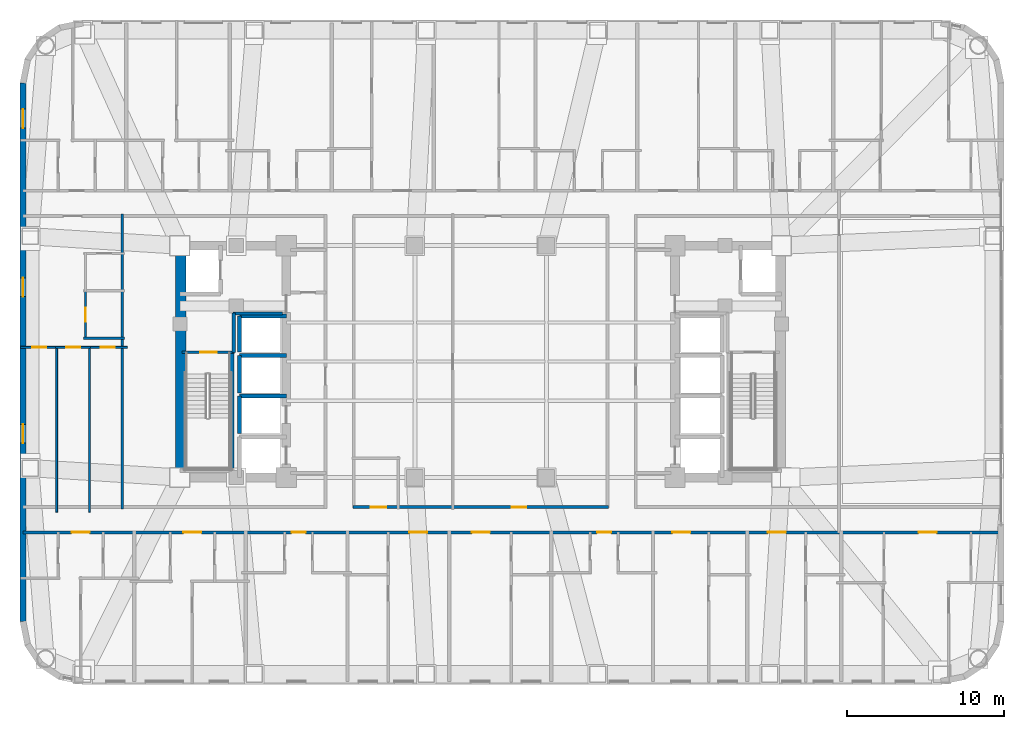
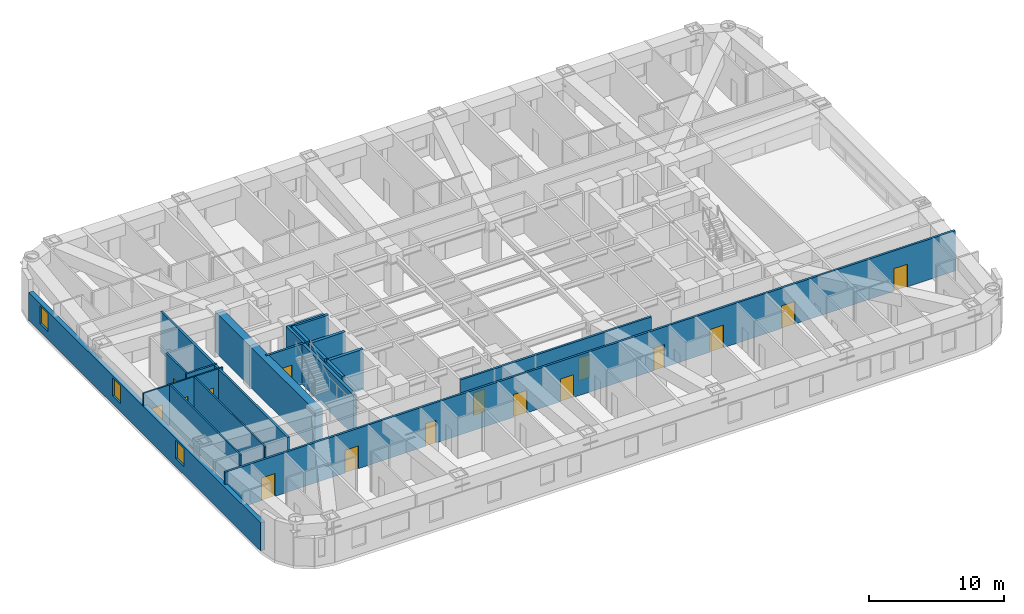
# One storey, part 9 of 16: 22 walls, 16 doors, 3 windows, 19 openings.
"""IFC4 building model written with IfcOpenShell, lengths in metres."""

from ifc_helpers import new_model, si_unit, direction, frame, frame_2d, origin, place, context, subcontext, project, spatial, rectangle, extrude, material, layer, layer_set, type_object, element, fill, save


model = new_model("IFC4")

# Units and contexts
model_context = context("Model", 3, precision=1e-05, world=origin(), true_north=direction((0.0, 1.0)))
body_context = subcontext(model_context, "Body", "Model", "MODEL_VIEW")
ifc_project = project(units=[si_unit("LENGTHUNIT", "METRE"), si_unit("AREAUNIT", "SQUARE_METRE"), si_unit("VOLUMEUNIT", "CUBIC_METRE"), si_unit("PLANEANGLEUNIT", "RADIAN"), si_unit("MASSUNIT", "GRAM", prefix="KILO")], contexts=[model_context])

# Site, building, storey
site_placement = place(None, origin())
site = spatial("IfcSite", under=ifc_project, at=site_placement, CompositionType="ELEMENT")
building_placement = place(site_placement, origin())
building = spatial("IfcBuilding", under=site, at=building_placement, Name="Voryun Gate Residences", CompositionType="ELEMENT")
storey_placement = place(building_placement, frame((0.0, 0.0, 89.699951171875)))
storey = spatial("IfcBuildingStorey", under=building, at=storey_placement, Name="L21", CompositionType="ELEMENT", Elevation=89.699951171875)

# Wall
ifc_material_1 = material(Name="Concrete C60/75", Category="concrete")
ifc_layer_1 = layer(ifc_material_1, 0.64990234375, Name="CW_CORE_650")
ifc_layer_set_1 = layer_set([ifc_layer_1], Name="Concrete C60/75")
wall_type_1 = type_object("IfcWallType", Name="CW_CORE_650", PredefinedType="SHEAR", material=ifc_layer_set_1)
wall_1_placement = place(storey_placement, frame((-19.14501953125, -7.39990234375, 0.0), z_axis=(0.0, 0.0, 1.0), x_axis=(0.0, 1.0, 0.0)))
element("IfcWall", 1, at=wall_1_placement, inside=storey, type_object=wall_type_1, Name="L21 Core shear wall CW-L21-WW", PredefinedType="SHEAR", context=body_context, shape_type="SweptSolid", body=[
    extrude(rectangle(XDim=14.7998046875, YDim=0.64990234375, at=frame_2d((7.39990234375, 0.0))), origin(), (0.0, 0.0, 1.0), 3.650146484375),
])

# Wall, opening, door
ifc_material_2 = material(Name="Gypsum acoustic fireboard")
ifc_layer_2 = layer(ifc_material_2, 0.179931640625, Name="W_CORR_RATED_180")
ifc_layer_set_2 = layer_set([ifc_layer_2], Name="Gypsum acoustic fireboard")
wall_type_2 = type_object("IfcWallType", Name="W_CORR_RATED_180", PredefinedType="PARTITIONING", material=ifc_layer_set_2)
wall_2_placement = place(storey_placement, frame((-19.06005859375, 0.60009765625, 0.0), z_axis=(0.0, 0.0, 1.0), x_axis=(1.0, 0.0, 0.0)))
wall_2 = element("IfcWall", 2, at=wall_2_placement, inside=storey, type_object=wall_type_2, Name="Partition wall WP-L21-STV-W", PredefinedType="PARTITIONING", context=body_context, shape_type="SweptSolid", body=[
    extrude(rectangle(XDim=3.360107421875, YDim=0.179931640625, at=frame_2d((1.68017578125, 0.0))), origin(), (0.0, 0.0, 1.0), 3.650146484375),
])
opening_1_placement = place(wall_2_placement, frame((1.155029296875, 0.0, 0.0)))
opening_1 = element("IfcOpeningElement", 3, at=opening_1_placement, cuts=wall_2, Name="Opening D-FD60-1", PredefinedType="OPENING", context=body_context, shape_type="SweptSolid", body=[
    extrude(rectangle(XDim=1.050048828125, YDim=2.050048828125, at=frame_2d((0.52490234375, 1.02490234375))), frame((0.0, 0.099853515625, 0.0), z_axis=(0.0, -1.0, 0.0), x_axis=(1.0, 0.0, 0.0)), (0.0, 0.0, 1.0), 0.199951171875),
])
ifc_material_3 = material(Name="Painted steel fire door", Category="steel")
door_type_1 = type_object("IfcDoorType", Name="DR_FD60_STAIR_1050", OperationType="NOTDEFINED", PredefinedType="DOOR", material=ifc_material_3)
door_1_placement = place(opening_1_placement, origin())
door_1 = element("IfcDoor", 4, at=door_1_placement, inside=storey, type_object=door_type_1, Name="Door DR-L21-ST-W", OperationType="SINGLE_SWING_LEFT", OverallHeight=2.050048828125, OverallWidth=1.050048828125, PredefinedType="DOOR", context=body_context, shape_type="SweptSolid", body=[
    extrude(rectangle(XDim=1.050048828125, YDim=2.050048828125, at=frame_2d((0.52490234375, 1.02490234375))), frame((0.0, 0.02490234375, 0.0), z_axis=(0.0, -1.0, 0.0), x_axis=(1.0, 0.0, 0.0)), (0.0, 0.0, 1.0), 0.050048828125),
])
fill(opening_1, door_1)

# Wall, openings, doors
wall_3_placement = place(storey_placement, frame((-8.14990234375, -9.2900390625, 0.0), z_axis=(0.0, 0.0, 1.0), x_axis=(1.0, 0.0, 0.0)))
wall_3 = element("IfcWall", 5, at=wall_3_placement, inside=storey, type_object=wall_type_2, Name="Partition wall WP-L21-Z1S", PredefinedType="PARTITIONING", context=body_context, shape_type="SweptSolid", body=[
    extrude(rectangle(XDim=16.2998046875, YDim=0.179931640625, at=frame_2d((8.14990234375, 0.0))), origin(), (0.0, 0.0, 1.0), 3.650146484375),
])
opening_2_placement = place(wall_3_placement, frame((1.1298828125, 0.0, 0.0)))
opening_2 = element("IfcOpeningElement", 6, at=opening_2_placement, cuts=wall_3, Name="Opening D-AWC-1", PredefinedType="OPENING", context=body_context, shape_type="SweptSolid", body=[
    extrude(rectangle(XDim=1.0, YDim=2.050048828125, at=frame_2d((0.5, 1.02490234375))), frame((0.0, 0.099853515625, 0.0), z_axis=(0.0, -1.0, 0.0), x_axis=(1.0, 0.0, 0.0)), (0.0, 0.0, 1.0), 0.199951171875),
])
opening_3_placement = place(wall_3_placement, frame((10.1201171875, 0.0, 0.0)))
opening_3 = element("IfcOpeningElement", 7, at=opening_3_placement, cuts=wall_3, Name="Opening D-INT-1", PredefinedType="OPENING", context=body_context, shape_type="SweptSolid", body=[
    extrude(rectangle(XDim=0.949951171875, YDim=2.050048828125, at=frame_2d((0.47509765625, 1.02490234375))), frame((0.0, 0.099853515625, 0.0), z_axis=(0.0, -1.0, 0.0), x_axis=(1.0, 0.0, 0.0)), (0.0, 0.0, 1.0), 0.199951171875),
])
ifc_material_4 = material(Name="Architectural oak veneer")
door_type_2 = type_object("IfcDoorType", Name="DR_ACC_WC_1000", OperationType="NOTDEFINED", PredefinedType="DOOR", material=ifc_material_4)
door_2_placement = place(opening_2_placement, origin())
door_2 = element("IfcDoor", 8, at=door_2_placement, inside=storey, type_object=door_type_2, Name="Door DR-L21-CMWC-D", OperationType="SINGLE_SWING_LEFT", OverallHeight=2.050048828125, OverallWidth=1.0, PredefinedType="DOOR", context=body_context, shape_type="SweptSolid", body=[
    extrude(rectangle(XDim=1.0, YDim=2.050048828125, at=frame_2d((0.5, 1.02490234375))), frame((0.0, 0.02490234375, 0.0), z_axis=(0.0, -1.0, 0.0), x_axis=(1.0, 0.0, 0.0)), (0.0, 0.0, 1.0), 0.050048828125),
])
fill(opening_2, door_2)
ifc_material_5 = material(Name="Architectural oak veneer")
door_type_3 = type_object("IfcDoorType", Name="DR_INT_ROOM_950", OperationType="NOTDEFINED", PredefinedType="DOOR", material=ifc_material_5)
door_3_placement = place(opening_3_placement, origin())
door_3 = element("IfcDoor", 9, at=door_3_placement, inside=storey, type_object=door_type_3, Name="Door DR-L21-CMIDZ1S", OperationType="SINGLE_SWING_RIGHT", OverallHeight=2.050048828125, OverallWidth=0.949951171875, PredefinedType="DOOR", context=body_context, shape_type="SweptSolid", body=[
    extrude(rectangle(XDim=0.949951171875, YDim=2.050048828125, at=frame_2d((0.47509765625, 1.02490234375))), frame((0.0, 0.02490234375, 0.0), z_axis=(0.0, -1.0, 0.0), x_axis=(1.0, 0.0, 0.0)), (0.0, 0.0, 1.0), 0.050048828125),
])
fill(opening_3, door_3)

wall_4_placement = place(storey_placement, frame((-29.2099609375, -10.89990234375, 0.0), z_axis=(0.0, 0.0, 1.0), x_axis=(1.0, 0.0, 0.0)))
wall_4 = element("IfcWall", 10, at=wall_4_placement, inside=storey, type_object=wall_type_2, Name="Partition wall WP-L21-SCORR", PredefinedType="PARTITIONING", context=body_context, shape_type="SweptSolid", body=[
    extrude(rectangle(XDim=62.419921875, YDim=0.179931640625, at=frame_2d((31.2099609375, 0.0))), origin(), (0.0, 0.0, 1.0), 3.650146484375),
])
opening_4_placement = place(wall_4_placement, frame((3.10791015625, 0.0, 0.0)))
opening_4 = element("IfcOpeningElement", 11, at=opening_4_placement, cuts=wall_4, Name="Opening D-UNIT-1", PredefinedType="OPENING", context=body_context, shape_type="SweptSolid", body=[
    extrude(rectangle(XDim=1.14990234375, YDim=2.050048828125, at=frame_2d((0.574951171875, 1.02490234375))), frame((0.0, 0.099853515625, 0.0), z_axis=(0.0, -1.0, 0.0), x_axis=(1.0, 0.0, 0.0)), (0.0, 0.0, 1.0), 0.199951171875),
])
opening_5_placement = place(wall_4_placement, frame((10.242431640625, 0.0, 0.0)))
opening_5 = element("IfcOpeningElement", 12, at=opening_5_placement, cuts=wall_4, Name="Opening D-UNIT-1", PredefinedType="OPENING", context=body_context, shape_type="SweptSolid", body=[
    extrude(rectangle(XDim=1.14990234375, YDim=2.050048828125, at=frame_2d((0.574951171875, 1.02490234375))), frame((0.0, 0.099853515625, 0.0), z_axis=(0.0, -1.0, 0.0), x_axis=(1.0, 0.0, 0.0)), (0.0, 0.0, 1.0), 0.199951171875),
])
opening_6_placement = place(wall_4_placement, frame((17.139892578125, 0.0, 0.0)))
opening_6 = element("IfcOpeningElement", 13, at=opening_6_placement, cuts=wall_4, Name="Opening D-INT-2", PredefinedType="OPENING", context=body_context, shape_type="SweptSolid", body=[
    extrude(rectangle(XDim=0.89990234375, YDim=2.050048828125, at=frame_2d((0.449951171875, 1.02490234375))), frame((0.0, 0.099853515625, 0.0), z_axis=(0.0, -1.0, 0.0), x_axis=(1.0, 0.0, 0.0)), (0.0, 0.0, 1.0), 0.199951171875),
])
opening_7_placement = place(wall_4_placement, frame((24.661376953125, 0.0, 0.0)))
opening_7 = element("IfcOpeningElement", 14, at=opening_7_placement, cuts=wall_4, Name="Opening D-UNIT-1", PredefinedType="OPENING", context=body_context, shape_type="SweptSolid", body=[
    extrude(rectangle(XDim=1.14990234375, YDim=2.050048828125, at=frame_2d((0.574951171875, 1.02490234375))), frame((0.0, 0.099853515625, 0.0), z_axis=(0.0, -1.0, 0.0), x_axis=(1.0, 0.0, 0.0)), (0.0, 0.0, 1.0), 0.199951171875),
])
opening_8_placement = place(wall_4_placement, frame((28.643798828125, 0.0, 0.0)))
opening_8 = element("IfcOpeningElement", 15, at=opening_8_placement, cuts=wall_4, Name="Opening D-UNIT-1", PredefinedType="OPENING", context=body_context, shape_type="SweptSolid", body=[
    extrude(rectangle(XDim=1.14990234375, YDim=2.050048828125, at=frame_2d((0.574951171875, 1.02490234375))), frame((0.0, 0.099853515625, 0.0), z_axis=(0.0, -1.0, 0.0), x_axis=(1.0, 0.0, 0.0)), (0.0, 0.0, 1.0), 0.199951171875),
])
opening_9_placement = place(wall_4_placement, frame((36.639892578125, 0.0, 0.0)))
opening_9 = element("IfcOpeningElement", 16, at=opening_9_placement, cuts=wall_4, Name="Opening D-INT-2", PredefinedType="OPENING", context=body_context, shape_type="SweptSolid", body=[
    extrude(rectangle(XDim=0.89990234375, YDim=2.050048828125, at=frame_2d((0.449951171875, 1.02490234375))), frame((0.0, 0.099853515625, 0.0), z_axis=(0.0, -1.0, 0.0), x_axis=(1.0, 0.0, 0.0)), (0.0, 0.0, 1.0), 0.199951171875),
])
opening_10_placement = place(wall_4_placement, frame((41.43994140625, 0.0, 0.0)))
opening_10 = element("IfcOpeningElement", 17, at=opening_10_placement, cuts=wall_4, Name="Opening D-UNIT-1", PredefinedType="OPENING", context=body_context, shape_type="SweptSolid", body=[
    extrude(rectangle(XDim=1.14990234375, YDim=2.050048828125, at=frame_2d((0.574951171875, 1.02490234375))), frame((0.0, 0.099853515625, 0.0), z_axis=(0.0, -1.0, 0.0), x_axis=(1.0, 0.0, 0.0)), (0.0, 0.0, 1.0), 0.199951171875),
])
opening_11_placement = place(wall_4_placement, frame((47.538330078125, 0.0, 0.0)))
opening_11 = element("IfcOpeningElement", 18, at=opening_11_placement, cuts=wall_4, Name="Opening D-UNIT-1", PredefinedType="OPENING", context=body_context, shape_type="SweptSolid", body=[
    extrude(rectangle(XDim=1.14990234375, YDim=2.050048828125, at=frame_2d((0.574951171875, 1.02490234375))), frame((0.0, 0.099853515625, 0.0), z_axis=(0.0, -1.0, 0.0), x_axis=(1.0, 0.0, 0.0)), (0.0, 0.0, 1.0), 0.199951171875),
])
opening_12_placement = place(wall_4_placement, frame((57.1572265625, 0.0, 0.0)))
opening_12 = element("IfcOpeningElement", 19, at=opening_12_placement, cuts=wall_4, Name="Opening D-UNIT-1", PredefinedType="OPENING", context=body_context, shape_type="SweptSolid", body=[
    extrude(rectangle(XDim=1.14990234375, YDim=2.050048828125, at=frame_2d((0.574951171875, 1.02490234375))), frame((0.0, 0.099853515625, 0.0), z_axis=(0.0, -1.0, 0.0), x_axis=(1.0, 0.0, 0.0)), (0.0, 0.0, 1.0), 0.199951171875),
])
ifc_material_6 = material(Name="Architectural oak veneer")
door_type_4 = type_object("IfcDoorType", Name="DR_INT_BATH_900", OperationType="NOTDEFINED", PredefinedType="DOOR", material=ifc_material_6)
door_4_placement = place(opening_6_placement, origin())
door_4 = element("IfcDoor", 20, at=door_4_placement, inside=storey, type_object=door_type_4, Name="Door DR-L21-SENT-3", OperationType="SINGLE_SWING_RIGHT", OverallHeight=2.050048828125, OverallWidth=0.89990234375, PredefinedType="DOOR", context=body_context, shape_type="SweptSolid", body=[
    extrude(rectangle(XDim=0.89990234375, YDim=2.050048828125, at=frame_2d((0.449951171875, 1.02490234375))), frame((0.0, 0.02490234375, 0.0), z_axis=(0.0, -1.0, 0.0), x_axis=(1.0, 0.0, 0.0)), (0.0, 0.0, 1.0), 0.050048828125),
])
fill(opening_6, door_4)
door_5_placement = place(opening_9_placement, origin())
door_5 = element("IfcDoor", 21, at=door_5_placement, inside=storey, type_object=door_type_4, Name="Door DR-L21-SENT-6", OperationType="SINGLE_SWING_LEFT", OverallHeight=2.050048828125, OverallWidth=0.89990234375, PredefinedType="DOOR", context=body_context, shape_type="SweptSolid", body=[
    extrude(rectangle(XDim=0.89990234375, YDim=2.050048828125, at=frame_2d((0.449951171875, 1.02490234375))), frame((0.0, 0.02490234375, 0.0), z_axis=(0.0, -1.0, 0.0), x_axis=(1.0, 0.0, 0.0)), (0.0, 0.0, 1.0), 0.050048828125),
])
fill(opening_9, door_5)
ifc_material_7 = material(Name="Armoured timber-clad fire door", Category="wood")
door_type_5 = type_object("IfcDoorType", Name="DR_UNIT_ENTRY_1150", OperationType="NOTDEFINED", PredefinedType="DOOR", material=ifc_material_7)
door_6_placement = place(opening_4_placement, origin())
door_6 = element("IfcDoor", 22, at=door_6_placement, inside=storey, type_object=door_type_5, Name="Door DR-L21-SENT-1", OperationType="SINGLE_SWING_RIGHT", OverallHeight=2.050048828125, OverallWidth=1.14990234375, PredefinedType="DOOR", context=body_context, shape_type="SweptSolid", body=[
    extrude(rectangle(XDim=1.14990234375, YDim=2.050048828125, at=frame_2d((0.574951171875, 1.02490234375))), frame((0.0, 0.02490234375, 0.0), z_axis=(0.0, -1.0, 0.0), x_axis=(1.0, 0.0, 0.0)), (0.0, 0.0, 1.0), 0.050048828125),
])
fill(opening_4, door_6)
door_7_placement = place(opening_5_placement, origin())
door_7 = element("IfcDoor", 23, at=door_7_placement, inside=storey, type_object=door_type_5, Name="Door DR-L21-SENT-2", OperationType="SINGLE_SWING_LEFT", OverallHeight=2.050048828125, OverallWidth=1.14990234375, PredefinedType="DOOR", context=body_context, shape_type="SweptSolid", body=[
    extrude(rectangle(XDim=1.14990234375, YDim=2.050048828125, at=frame_2d((0.574951171875, 1.02490234375))), frame((0.0, 0.02490234375, 0.0), z_axis=(0.0, -1.0, 0.0), x_axis=(1.0, 0.0, 0.0)), (0.0, 0.0, 1.0), 0.050048828125),
])
fill(opening_5, door_7)
door_8_placement = place(opening_7_placement, origin())
door_8 = element("IfcDoor", 24, at=door_8_placement, inside=storey, type_object=door_type_5, Name="Door DR-L21-SENT-4", OperationType="SINGLE_SWING_LEFT", OverallHeight=2.050048828125, OverallWidth=1.14990234375, PredefinedType="DOOR", context=body_context, shape_type="SweptSolid", body=[
    extrude(rectangle(XDim=1.14990234375, YDim=2.050048828125, at=frame_2d((0.574951171875, 1.02490234375))), frame((0.0, 0.02490234375, 0.0), z_axis=(0.0, -1.0, 0.0), x_axis=(1.0, 0.0, 0.0)), (0.0, 0.0, 1.0), 0.050048828125),
])
fill(opening_7, door_8)
door_9_placement = place(opening_8_placement, origin())
door_9 = element("IfcDoor", 25, at=door_9_placement, inside=storey, type_object=door_type_5, Name="Door DR-L21-SENT-5", OperationType="SINGLE_SWING_RIGHT", OverallHeight=2.050048828125, OverallWidth=1.14990234375, PredefinedType="DOOR", context=body_context, shape_type="SweptSolid", body=[
    extrude(rectangle(XDim=1.14990234375, YDim=2.050048828125, at=frame_2d((0.574951171875, 1.02490234375))), frame((0.0, 0.02490234375, 0.0), z_axis=(0.0, -1.0, 0.0), x_axis=(1.0, 0.0, 0.0)), (0.0, 0.0, 1.0), 0.050048828125),
])
fill(opening_8, door_9)
door_10_placement = place(opening_10_placement, origin())
door_10 = element("IfcDoor", 26, at=door_10_placement, inside=storey, type_object=door_type_5, Name="Door DR-L21-SENT-7", OperationType="SINGLE_SWING_RIGHT", OverallHeight=2.050048828125, OverallWidth=1.14990234375, PredefinedType="DOOR", context=body_context, shape_type="SweptSolid", body=[
    extrude(rectangle(XDim=1.14990234375, YDim=2.050048828125, at=frame_2d((0.574951171875, 1.02490234375))), frame((0.0, 0.02490234375, 0.0), z_axis=(0.0, -1.0, 0.0), x_axis=(1.0, 0.0, 0.0)), (0.0, 0.0, 1.0), 0.050048828125),
])
fill(opening_10, door_10)
door_11_placement = place(opening_11_placement, origin())
door_11 = element("IfcDoor", 27, at=door_11_placement, inside=storey, type_object=door_type_5, Name="Door DR-L21-SENT-8", OperationType="SINGLE_SWING_LEFT", OverallHeight=2.050048828125, OverallWidth=1.14990234375, PredefinedType="DOOR", context=body_context, shape_type="SweptSolid", body=[
    extrude(rectangle(XDim=1.14990234375, YDim=2.050048828125, at=frame_2d((0.574951171875, 1.02490234375))), frame((0.0, 0.02490234375, 0.0), z_axis=(0.0, -1.0, 0.0), x_axis=(1.0, 0.0, 0.0)), (0.0, 0.0, 1.0), 0.050048828125),
])
fill(opening_11, door_11)
door_12_placement = place(opening_12_placement, origin())
door_12 = element("IfcDoor", 28, at=door_12_placement, inside=storey, type_object=door_type_5, Name="Door DR-L21-SENT-9", OperationType="SINGLE_SWING_RIGHT", OverallHeight=2.050048828125, OverallWidth=1.14990234375, PredefinedType="DOOR", context=body_context, shape_type="SweptSolid", body=[
    extrude(rectangle(XDim=1.14990234375, YDim=2.050048828125, at=frame_2d((0.574951171875, 1.02490234375))), frame((0.0, 0.02490234375, 0.0), z_axis=(0.0, -1.0, 0.0), x_axis=(1.0, 0.0, 0.0)), (0.0, 0.0, 1.0), 0.050048828125),
])
fill(opening_12, door_12)

# Wall
wall_5_placement = place(storey_placement, frame((-22.8701171875, -9.409912109375, 0.0), z_axis=(0.0, 0.0, 1.0), x_axis=(0.0, 1.0, 0.0)))
element("IfcWall", 29, at=wall_5_placement, inside=storey, type_object=wall_type_2, Name="Partition wall WP-L21-WCOR", PredefinedType="PARTITIONING", context=body_context, shape_type="SweptSolid", body=[
    extrude(rectangle(XDim=18.81982421875, YDim=0.179931640625, at=frame_2d((9.409912109375, 0.0))), origin(), (0.0, 0.0, 1.0), 3.650146484375),
])

# Wall, openings, windows
ifc_material_8 = material(Name="Granite masonry", Category="masonry")
ifc_layer_3 = layer(ifc_material_8, 0.3798828125, Name="W_EXT_GRANITE_380")
ifc_layer_set_3 = layer_set([ifc_layer_3], Name="Granite masonry")
wall_type_3 = type_object("IfcWallType", Name="W_EXT_GRANITE_380", PredefinedType="ELEMENTEDWALL", material=ifc_layer_set_3)
wall_6_placement = place(storey_placement, frame((-29.2099609375, -16.581298828125, 0.0), z_axis=(0.0, 0.0, 1.0), x_axis=(0.0, 1.0, 0.0)))
wall_6 = element("IfcWall", 30, at=wall_6_placement, inside=storey, type_object=wall_type_3, Name="Exterior wall WEXT-L21-06", PredefinedType="ELEMENTEDWALL", context=body_context, shape_type="SweptSolid", body=[
    extrude(rectangle(XDim=34.362548828125, YDim=0.3798828125, at=frame_2d((17.18115234375, 0.0))), origin(), (0.0, 0.0, 1.0), 2.5400390625),
])
opening_13_placement = place(wall_6_placement, frame((31.48681640625, 0.0, 0.75)))
opening_13 = element("IfcOpeningElement", 31, at=opening_13_placement, cuts=wall_6, Name="Opening WN6", PredefinedType="OPENING", context=body_context, shape_type="SweptSolid", body=[
    extrude(rectangle(XDim=1.199951171875, YDim=1.6298828125, at=frame_2d((0.60009765625, 0.81494140625))), frame((0.0, 0.199951171875, 0.0), z_axis=(0.0, -1.0, 0.0), x_axis=(1.0, 0.0, 0.0)), (0.0, 0.0, 1.0), 0.39990234375),
])
opening_14_placement = place(wall_6_placement, frame((20.726318359375, 0.0, 0.75)))
opening_14 = element("IfcOpeningElement", 32, at=opening_14_placement, cuts=wall_6, Name="Opening WN6", PredefinedType="OPENING", context=body_context, shape_type="SweptSolid", body=[
    extrude(rectangle(XDim=1.199951171875, YDim=1.6298828125, at=frame_2d((0.60009765625, 0.81494140625))), frame((0.0, 0.199951171875, 0.0), z_axis=(0.0, -1.0, 0.0), x_axis=(1.0, 0.0, 0.0)), (0.0, 0.0, 1.0), 0.39990234375),
])
opening_15_placement = place(wall_6_placement, frame((11.376220703125, 0.0, 0.75)))
opening_15 = element("IfcOpeningElement", 33, at=opening_15_placement, cuts=wall_6, Name="Opening WN6", PredefinedType="OPENING", context=body_context, shape_type="SweptSolid", body=[
    extrude(rectangle(XDim=1.199951171875, YDim=1.6298828125, at=frame_2d((0.60009765625, 0.81494140625))), frame((0.0, 0.199951171875, 0.0), z_axis=(0.0, -1.0, 0.0), x_axis=(1.0, 0.0, 0.0)), (0.0, 0.0, 1.0), 0.39990234375),
])
ifc_material_9 = material(Name="Laminated low-E glass", Category="glass")
window_type = type_object("IfcWindowType", Name="WN_POD_SLOT_1200", PartitioningType="SINGLE_PANEL", PredefinedType="WINDOW", material=ifc_material_9)
window_1_placement = place(opening_13_placement, origin())
window_1 = element("IfcWindow", 34, at=window_1_placement, inside=storey, type_object=window_type, Name="Window WN-L21-DWFIX-01", OverallHeight=1.6298828125, OverallWidth=1.199951171875, PartitioningType="SINGLE_PANEL", PredefinedType="WINDOW", context=body_context, shape_type="SweptSolid", body=[
    extrude(rectangle(XDim=1.199951171875, YDim=1.6298828125, at=frame_2d((0.60009765625, 0.81494140625))), frame((0.0, 0.030029296875, 0.0), z_axis=(0.0, -1.0, 0.0), x_axis=(1.0, 0.0, 0.0)), (0.0, 0.0, 1.0), 0.06005859375),
])
fill(opening_13, window_1)
window_2_placement = place(opening_14_placement, origin())
window_2 = element("IfcWindow", 35, at=window_2_placement, inside=storey, type_object=window_type, Name="Window WN-L21-DWFIX-31", OverallHeight=1.6298828125, OverallWidth=1.199951171875, PartitioningType="SINGLE_PANEL", PredefinedType="WINDOW", context=body_context, shape_type="SweptSolid", body=[
    extrude(rectangle(XDim=1.199951171875, YDim=1.6298828125, at=frame_2d((0.60009765625, 0.81494140625))), frame((0.0, 0.030029296875, 0.0), z_axis=(0.0, -1.0, 0.0), x_axis=(1.0, 0.0, 0.0)), (0.0, 0.0, 1.0), 0.06005859375),
])
fill(opening_14, window_2)
window_3_placement = place(opening_15_placement, origin())
window_3 = element("IfcWindow", 36, at=window_3_placement, inside=storey, type_object=window_type, Name="Window WN-L21-DWFIX-32", OverallHeight=1.6298828125, OverallWidth=1.199951171875, PartitioningType="SINGLE_PANEL", PredefinedType="WINDOW", context=body_context, shape_type="SweptSolid", body=[
    extrude(rectangle(XDim=1.199951171875, YDim=1.6298828125, at=frame_2d((0.60009765625, 0.81494140625))), frame((0.0, 0.030029296875, 0.0), z_axis=(0.0, -1.0, 0.0), x_axis=(1.0, 0.0, 0.0)), (0.0, 0.0, 1.0), 0.06005859375),
])
fill(opening_15, window_3)

# Walls
ifc_material_10 = material(Name="Concrete C40/50", Category="concrete")
ifc_layer_4 = layer(ifc_material_10, 0.199951171875, Name="W_FF_LOBBY_200")
ifc_layer_set_4 = layer_set([ifc_layer_4], Name="Concrete C40/50")
wall_type_4 = type_object("IfcWallType", Name="W_FF_LOBBY_200", PredefinedType="PARTITIONING", material=ifc_layer_set_4)
wall_7_placement = place(storey_placement, frame((-15.760009765625, 0.580078125, 0.0), z_axis=(0.0, 0.0, 1.0), x_axis=(0.0, 1.0, 0.0)))
element("IfcWall", 37, at=wall_7_placement, inside=storey, type_object=wall_type_4, Name="Partition wall WP-L21-FFP0-W", PredefinedType="PARTITIONING", context=body_context, shape_type="SweptSolid", body=[
    extrude(rectangle(XDim=2.52001953125, YDim=0.199951171875, at=frame_2d((1.260009765625, 0.0))), origin(), (0.0, 0.0, 1.0), 3.650146484375),
])
wall_8_placement = place(storey_placement, frame((-15.820068359375, 3.06005859375, 0.0), z_axis=(0.0, 0.0, 1.0), x_axis=(1.0, 0.0, 0.0)))
element("IfcWall", 38, at=wall_8_placement, inside=storey, type_object=wall_type_4, Name="Partition wall WP-L21-FFPS-W", PredefinedType="PARTITIONING", context=body_context, shape_type="SweptSolid", body=[
    extrude(rectangle(XDim=3.16015625, YDim=0.199951171875, at=frame_2d((1.580078125, 0.0))), origin(), (0.0, 0.0, 1.0), 3.650146484375),
])
ifc_material_11 = material(Name="Concrete C50/60", Category="concrete")
ifc_layer_5 = layer(ifc_material_11, 0.25, Name="W_SHAFT_RC250")
ifc_layer_set_5 = layer_set([ifc_layer_5], Name="Concrete C50/60")
wall_type_5 = type_object("IfcWallType", Name="W_SHAFT_RC250", PredefinedType="SOLIDWALL", material=ifc_layer_set_5)
wall_9_placement = place(storey_placement, frame((-15.860107421875, -7.0849609375, 0.0), z_axis=(0.0, 0.0, 1.0), x_axis=(0.0, 1.0, 0.0)))
element("IfcWall", 39, at=wall_9_placement, inside=storey, type_object=wall_type_5, Name="L21 Stair shaft structural wall W-STR", PredefinedType="SOLIDWALL", context=body_context, shape_type="SweptSolid", body=[
    extrude(rectangle(XDim=7.68505859375, YDim=0.25, at=frame_2d((3.842529296875, 0.0))), origin(), (0.0, 0.0, 1.0), 3.650146484375),
])
wall_10_placement = place(storey_placement, frame((-12.39990234375, -2.199951171875, 0.0), z_axis=(0.0, 0.0, 1.0), x_axis=(-1.0, 0.0, 0.0)))
element("IfcWall", 40, at=wall_10_placement, inside=storey, type_object=wall_type_5, Name="Lift shaft wall WSH-L21-EL-P2-N", PredefinedType="SOLIDWALL", context=body_context, shape_type="SweptSolid", body=[
    extrude(rectangle(XDim=3.0, YDim=0.25, at=frame_2d((1.5, 0.0))), origin(), (0.0, 0.0, 1.0), 3.650146484375),
])
wall_11_placement = place(storey_placement, frame((-15.39990234375, -2.199951171875, 0.0), z_axis=(0.0, 0.0, 1.0), x_axis=(0.0, -1.0, 0.0)))
element("IfcWall", 41, at=wall_11_placement, inside=storey, type_object=wall_type_5, Name="Lift shaft wall WSH-L21-EL-P2-W", PredefinedType="SOLIDWALL", context=body_context, shape_type="SweptSolid", body=[
    extrude(rectangle(XDim=2.400146484375, YDim=0.25, at=frame_2d((1.2001953125, 0.0))), origin(), (0.0, 0.0, 1.0), 3.650146484375),
])
wall_12_placement = place(storey_placement, frame((-12.39990234375, 0.39990234375, 0.0), z_axis=(0.0, 0.0, 1.0), x_axis=(-1.0, 0.0, 0.0)))
element("IfcWall", 42, at=wall_12_placement, inside=storey, type_object=wall_type_5, Name="Lift shaft wall WSH-L21-EL-P4-N", PredefinedType="SOLIDWALL", context=body_context, shape_type="SweptSolid", body=[
    extrude(rectangle(XDim=3.0, YDim=0.25, at=frame_2d((1.5, 0.0))), origin(), (0.0, 0.0, 1.0), 3.650146484375),
])
wall_13_placement = place(storey_placement, frame((-15.39990234375, 0.39990234375, 0.0), z_axis=(0.0, 0.0, 1.0), x_axis=(0.0, -1.0, 0.0)))
element("IfcWall", 43, at=wall_13_placement, inside=storey, type_object=wall_type_5, Name="Lift shaft wall WSH-L21-EL-P4-W", PredefinedType="SOLIDWALL", context=body_context, shape_type="SweptSolid", body=[
    extrude(rectangle(XDim=2.39990234375, YDim=0.25, at=frame_2d((1.199951171875, 0.0))), origin(), (0.0, 0.0, 1.0), 3.650146484375),
])
wall_14_placement = place(storey_placement, frame((-12.39990234375, 2.89990234375, 0.0), z_axis=(0.0, 0.0, 1.0), x_axis=(-1.0, 0.0, 0.0)))
element("IfcWall", 44, at=wall_14_placement, inside=storey, type_object=wall_type_5, Name="Lift shaft wall WSH-L21-EL-P7-N", PredefinedType="SOLIDWALL", context=body_context, shape_type="SweptSolid", body=[
    extrude(rectangle(XDim=3.0, YDim=0.25, at=frame_2d((1.5, 0.0))), origin(), (0.0, 0.0, 1.0), 3.650146484375),
])
wall_15_placement = place(storey_placement, frame((-15.39990234375, 2.89990234375, 0.0), z_axis=(0.0, 0.0, 1.0), x_axis=(0.0, -1.0, 0.0)))
element("IfcWall", 45, at=wall_15_placement, inside=storey, type_object=wall_type_5, Name="Lift shaft wall WSH-L21-EL-P7-W", PredefinedType="SOLIDWALL", context=body_context, shape_type="SweptSolid", body=[
    extrude(rectangle(XDim=2.2998046875, YDim=0.25, at=frame_2d((1.14990234375, 0.0))), origin(), (0.0, 0.0, 1.0), 3.650146484375),
])

# Wall, opening, door
ifc_material_12 = material(Name="Gypsum acoustic partition")
ifc_layer_6 = layer(ifc_material_12, 0.125, Name="W_UNIT_PART_125")
ifc_layer_set_6 = layer_set([ifc_layer_6], Name="Gypsum acoustic partition")
wall_type_6 = type_object("IfcWallType", Name="W_UNIT_PART_125", PredefinedType="PARTITIONING", material=ifc_layer_set_6)
wall_16_placement = place(storey_placement, frame((-29.360107421875, 0.909912109375, 0.0), z_axis=(0.0, 0.0, 1.0), x_axis=(1.0, 0.0, 0.0)))
wall_16 = element("IfcWall", 46, at=wall_16_placement, inside=storey, type_object=wall_type_6, Name="Partition wall WP-L21-W1-HZMB1", PredefinedType="PARTITIONING", context=body_context, shape_type="SweptSolid", body=[
    extrude(rectangle(XDim=2.363525390625, YDim=0.125, at=frame_2d((1.181640625, 0.0))), origin(), (0.0, 0.0, 1.0), 3.650146484375),
])
opening_16_placement = place(wall_16_placement, frame((0.740478515625, 0.0, 0.0)))
opening_16 = element("IfcOpeningElement", 47, at=opening_16_placement, cuts=wall_16, Name="Opening D-INT-2", PredefinedType="OPENING", context=body_context, shape_type="SweptSolid", body=[
    extrude(rectangle(XDim=0.89990234375, YDim=2.050048828125, at=frame_2d((0.449951171875, 1.02490234375))), frame((0.0, 0.072509765625, 0.0), z_axis=(0.0, -1.0, 0.0), x_axis=(1.0, 0.0, 0.0)), (0.0, 0.0, 1.0), 0.14501953125),
])
door_13_placement = place(opening_16_placement, origin())
door_13 = element("IfcDoor", 48, at=door_13_placement, inside=storey, type_object=door_type_4, Name="Door DR-L21-W1-DMB", OperationType="SINGLE_SWING_LEFT", OverallHeight=2.050048828125, OverallWidth=0.89990234375, PredefinedType="DOOR", context=body_context, shape_type="SweptSolid", body=[
    extrude(rectangle(XDim=0.89990234375, YDim=2.050048828125, at=frame_2d((0.449951171875, 1.02490234375))), frame((0.0, 0.02490234375, 0.0), z_axis=(0.0, -1.0, 0.0), x_axis=(1.0, 0.0, 0.0)), (0.0, 0.0, 1.0), 0.050048828125),
])
fill(opening_16, door_13)

wall_17_placement = place(storey_placement, frame((-27.12158203125, 0.909912109375, 0.0), z_axis=(0.0, 0.0, 1.0), x_axis=(1.0, 0.0, 0.0)))
wall_17 = element("IfcWall", 49, at=wall_17_placement, inside=storey, type_object=wall_type_6, Name="Partition wall WP-L21-W1-HZMB2", PredefinedType="PARTITIONING", context=body_context, shape_type="SweptSolid", body=[
    extrude(rectangle(XDim=2.218994140625, YDim=0.125, at=frame_2d((1.109375, 0.0))), origin(), (0.0, 0.0, 1.0), 3.650146484375),
])
opening_17_placement = place(wall_17_placement, frame((0.659423828125, 0.0, 0.0)))
opening_17 = element("IfcOpeningElement", 50, at=opening_17_placement, cuts=wall_17, Name="Opening D-INT-2", PredefinedType="OPENING", context=body_context, shape_type="SweptSolid", body=[
    extrude(rectangle(XDim=0.89990234375, YDim=2.050048828125, at=frame_2d((0.449951171875, 1.02490234375))), frame((0.0, 0.072509765625, 0.0), z_axis=(0.0, -1.0, 0.0), x_axis=(1.0, 0.0, 0.0)), (0.0, 0.0, 1.0), 0.14501953125),
])
door_14_placement = place(opening_17_placement, origin())
door_14 = element("IfcDoor", 51, at=door_14_placement, inside=storey, type_object=door_type_4, Name="Door DR-L21-W1-DBD2", OperationType="SINGLE_SWING_RIGHT", OverallHeight=2.050048828125, OverallWidth=0.89990234375, PredefinedType="DOOR", context=body_context, shape_type="SweptSolid", body=[
    extrude(rectangle(XDim=0.89990234375, YDim=2.050048828125, at=frame_2d((0.449951171875, 1.02490234375))), frame((0.0, 0.02490234375, 0.0), z_axis=(0.0, -1.0, 0.0), x_axis=(1.0, 0.0, 0.0)), (0.0, 0.0, 1.0), 0.050048828125),
])
fill(opening_17, door_14)

wall_18_placement = place(storey_placement, frame((-25.027587890625, 0.909912109375, 0.0), z_axis=(0.0, 0.0, 1.0), x_axis=(1.0, 0.0, 0.0)))
wall_18 = element("IfcWall", 52, at=wall_18_placement, inside=storey, type_object=wall_type_6, Name="Partition wall WP-L21-W1-HZMB3", PredefinedType="PARTITIONING", context=body_context, shape_type="SweptSolid", body=[
    extrude(rectangle(XDim=2.4775390625, YDim=0.125, at=frame_2d((1.23876953125, 0.0))), origin(), (0.0, 0.0, 1.0), 3.650146484375),
])
opening_18_placement = place(wall_18_placement, frame((0.780029296875, 0.0, 0.0)))
opening_18 = element("IfcOpeningElement", 53, at=opening_18_placement, cuts=wall_18, Name="Opening D-INT-2", PredefinedType="OPENING", context=body_context, shape_type="SweptSolid", body=[
    extrude(rectangle(XDim=0.89990234375, YDim=2.050048828125, at=frame_2d((0.449951171875, 1.02490234375))), frame((0.0, 0.072509765625, 0.0), z_axis=(0.0, -1.0, 0.0), x_axis=(1.0, 0.0, 0.0)), (0.0, 0.0, 1.0), 0.14501953125),
])
door_15_placement = place(opening_18_placement, origin())
door_15 = element("IfcDoor", 54, at=door_15_placement, inside=storey, type_object=door_type_4, Name="Door DR-L21-W1-DBD3", OperationType="SINGLE_SWING_LEFT", OverallHeight=2.050048828125, OverallWidth=0.89990234375, PredefinedType="DOOR", context=body_context, shape_type="SweptSolid", body=[
    extrude(rectangle(XDim=0.89990234375, YDim=2.050048828125, at=frame_2d((0.449951171875, 1.02490234375))), frame((0.0, 0.02490234375, 0.0), z_axis=(0.0, -1.0, 0.0), x_axis=(1.0, 0.0, 0.0)), (0.0, 0.0, 1.0), 0.050048828125),
])
fill(opening_18, door_15)

# Walls
for number, where, z_axis, x_axis, name in (
    (55, (-24.965087890625, -9.610107421875, 0.0), (0.0, 0.0, 1.0), (0.0, 1.0, 0.0), "Partition wall WP-L21-W1-VMB2"),
    (56, (-27.05908203125, -9.610107421875, 0.0), (0.0, 0.0, 1.0), (0.0, 1.0, 0.0), "Partition wall WP-L21-W1-VMB"),
):
    element("IfcWall", number, at=place(storey_placement, frame(where, z_axis=z_axis, x_axis=x_axis)), inside=storey, type_object=wall_type_6, Name=name, PredefinedType="PARTITIONING", context=body_context, shape_type="SweptSolid", body=[
        extrude(rectangle(XDim=10.580078125, YDim=0.125, at=frame_2d((5.2900390625, 0.0))), origin(), (0.0, 0.0, 1.0), 3.650146484375),
    ])
ifc_material_13 = material(Name="Gypsum moisture-resistant partition")
ifc_layer_7 = layer(ifc_material_13, 0.14990234375, Name="W_WET_PLUMB_150")
ifc_layer_set_7 = layer_set([ifc_layer_7], Name="Gypsum moisture-resistant partition")
wall_type_7 = type_object("IfcWallType", Name="W_WET_PLUMB_150", PredefinedType="PLUMBINGWALL", material=ifc_layer_set_7)
wall_19_placement = place(storey_placement, frame((-25.340087890625, 1.5, 0.0), z_axis=(0.0, 0.0, 1.0), x_axis=(1.0, 0.0, 0.0)))
element("IfcWall", 57, at=wall_19_placement, inside=storey, type_object=wall_type_7, Name="Partition wall WP-L21-W1-IBB", PredefinedType="PLUMBINGWALL", context=body_context, shape_type="SweptSolid", body=[
    extrude(rectangle(XDim=2.6201171875, YDim=0.14990234375, at=frame_2d((1.31005859375, 0.0))), origin(), (0.0, 0.0, 1.0), 3.650146484375),
])

# Wall, opening, door
wall_20_placement = place(storey_placement, frame((-25.219970703125, 1.43994140625, 0.0), z_axis=(0.0, 0.0, 1.0), x_axis=(0.0, 1.0, 0.0)))
wall_20 = element("IfcWall", 58, at=wall_20_placement, inside=storey, type_object=wall_type_7, Name="Partition wall WP-L21-W1-VTSK1", PredefinedType="PLUMBINGWALL", context=body_context, shape_type="SweptSolid", body=[
    extrude(rectangle(XDim=3.1201171875, YDim=0.14990234375, at=frame_2d((1.56005859375, 0.0))), origin(), (0.0, 0.0, 1.0), 3.650146484375),
])
opening_19_placement = place(wall_20_placement, frame((1.110107421875, 0.0, 0.0)))
opening_19 = element("IfcOpeningElement", 59, at=opening_19_placement, cuts=wall_20, Name="Opening D-INT-2", PredefinedType="OPENING", context=body_context, shape_type="SweptSolid", body=[
    extrude(rectangle(XDim=0.89990234375, YDim=2.050048828125, at=frame_2d((0.449951171875, 1.02490234375))), frame((0.0, 0.0849609375, 0.0), z_axis=(0.0, -1.0, 0.0), x_axis=(1.0, 0.0, 0.0)), (0.0, 0.0, 1.0), 0.169921875),
])
door_16_placement = place(opening_19_placement, origin())
door_16 = element("IfcDoor", 60, at=door_16_placement, inside=storey, type_object=door_type_4, Name="Door DR-L21-W1-DB", OperationType="SINGLE_SWING_RIGHT", OverallHeight=2.050048828125, OverallWidth=0.89990234375, PredefinedType="DOOR", context=body_context, shape_type="SweptSolid", body=[
    extrude(rectangle(XDim=0.89990234375, YDim=2.050048828125, at=frame_2d((0.449951171875, 1.02490234375))), frame((0.0, 0.02490234375, 0.0), z_axis=(0.0, -1.0, 0.0), x_axis=(1.0, 0.0, 0.0)), (0.0, 0.0, 1.0), 0.050048828125),
])
fill(opening_19, door_16)

save(model, "model.ifc")
